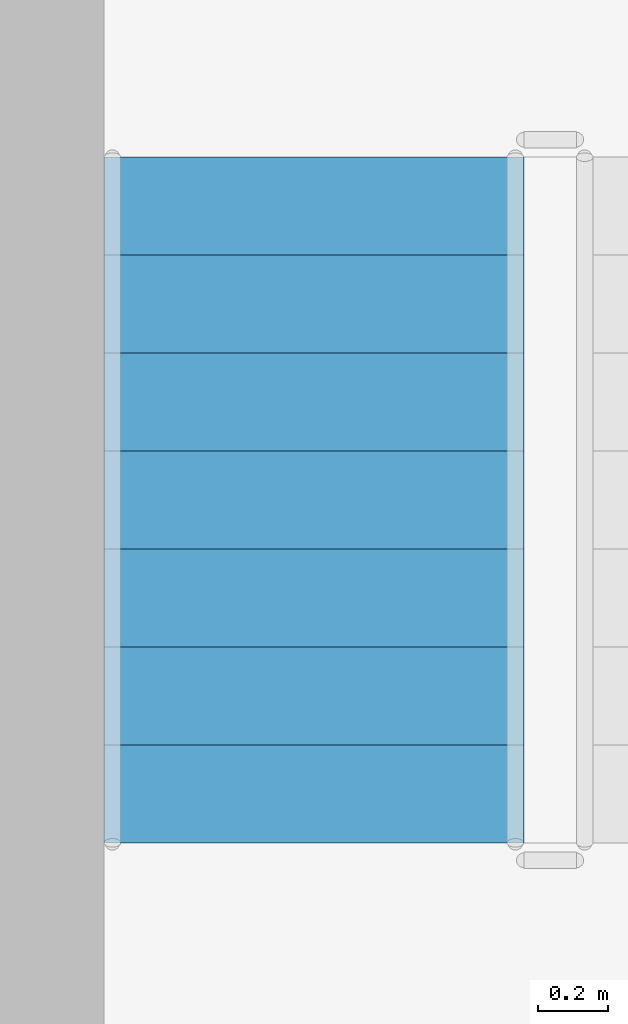
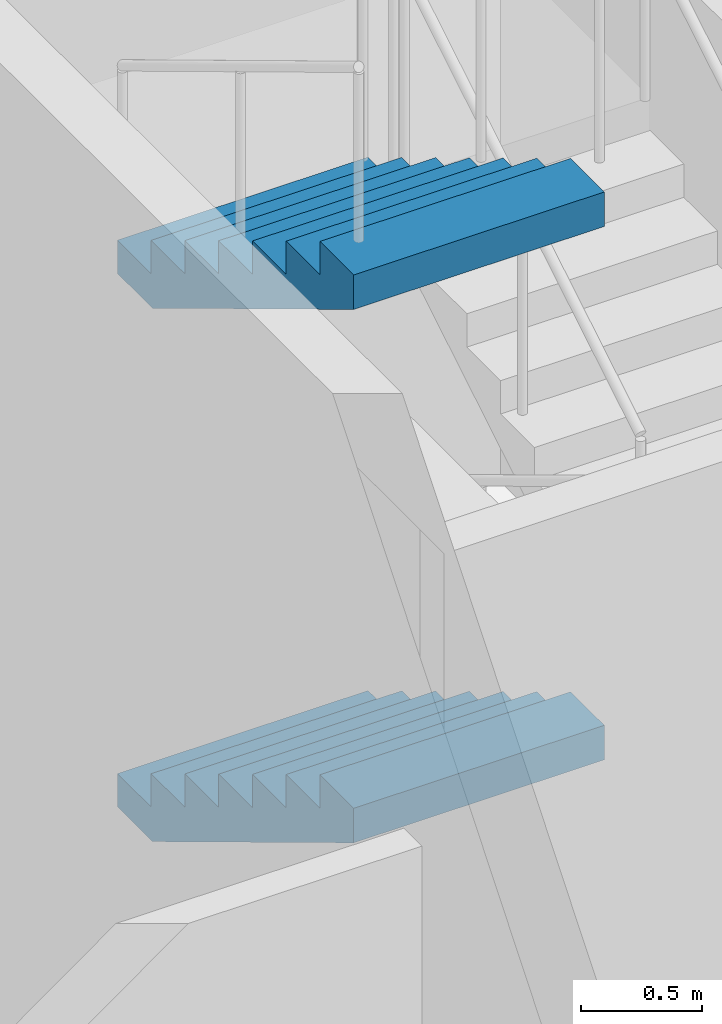
# One storey, part 39 of 101: 2 stair flights, 1 element without a shape of its own.
"""IFC4 building model written with IfcOpenShell, lengths in metres."""

from ifc_helpers import new_model, si_unit, direction, frame, origin, place, context, subcontext, project, spatial, triangles, material, type_object, element, aggregate, save


model = new_model("IFC4")

# Units and contexts
model_context = context("Model", 3, precision=1e-05, world=origin(), true_north=direction((0.0, 1.0)))
body_context = subcontext(model_context, "Body", "Model", "MODEL_VIEW")
ifc_project = project(units=[si_unit("LENGTHUNIT", "METRE"), si_unit("AREAUNIT", "SQUARE_METRE"), si_unit("VOLUMEUNIT", "CUBIC_METRE"), si_unit("PLANEANGLEUNIT", "RADIAN"), si_unit("MASSUNIT", "GRAM", prefix="KILO")], contexts=[model_context])

# Site, building, storey
site_placement = place(None, origin())
site = spatial("IfcSite", under=ifc_project, at=site_placement, CompositionType="ELEMENT")
building_placement = place(site_placement, origin())
building = spatial("IfcBuilding", under=site, at=building_placement, Name="Magnolia Steps Interchange", CompositionType="ELEMENT")
storey_placement = place(building_placement, frame((0.0, 0.0, -5.39990234375)))
storey = spatial("IfcBuildingStorey", under=building, at=storey_placement, Name="B1", CompositionType="ELEMENT", Elevation=-5.39990234375)

# Stair, stair flights
ifc_material_1 = material(Name="Concrete C40", Category="concrete")
stair_type = type_object("IfcStairType", Name="Exit stair 1200", PredefinedType="HALF_TURN_STAIR", material=ifc_material_1)
stair_placement = place(storey_placement, origin())
stair = element("IfcStair", 1, at=stair_placement, inside=storey, type_object=stair_type, Name="B1 Stair 17", PredefinedType="HALF_TURN_STAIR")
ifc_material_2 = material(Name="Concrete C40", Category="concrete")
stair_flight_type = type_object("IfcStairFlightType", Name="Exit stair flight", PredefinedType="STRAIGHT", material=ifc_material_2)
stair_flight_1_placement = place(storey_placement, frame((43.5, 40.659912109375, 1.349853515625), z_axis=(0.0, 0.0, 1.0), x_axis=(0.0, -1.0, 0.0)))
stair_flight_1 = element("IfcStairFlight", 2, at=stair_flight_1_placement, type_object=stair_flight_type, Name="Stair 17 flight 2", NumberOfRisers=8, NumberOfTreads=7, PredefinedType="STRAIGHT", RiserHeight=0.16875, TreadLength=0.28, context=body_context, shape_type="Tessellation", body=[
    triangles([(0.0, -0.5999755859375, 0.0), (0.29052734375, -0.5999755859375, 0.0), (1.9599609375, -0.5999755859375, 1.00634765625), (1.9599609375, -0.5999755859375, 1.18115234375), (1.679931640625, -0.5999755859375, 1.18115234375), (1.679931640625, -0.5999755859375, 1.012451171875), (1.39990234375, -0.5999755859375, 1.012451171875), (1.39990234375, -0.5999755859375, 0.84375), (1.1201171875, -0.5999755859375, 0.84375), (1.1201171875, -0.5999755859375, 0.675048828125), (0.840087890625, -0.5999755859375, 0.675048828125), (0.840087890625, -0.5999755859375, 0.50634765625), (0.56005859375, -0.5999755859375, 0.50634765625), (0.56005859375, -0.5999755859375, 0.33740234375), (0.280029296875, -0.5999755859375, 0.33740234375), (0.280029296875, -0.5999755859375, 0.168701171875), (0.0, -0.5999755859375, 0.168701171875), (0.0, 0.5999755859375, 0.0), (0.29052734375, 0.5999755859375, 0.0), (1.9599609375, 0.5999755859375, 1.00634765625), (1.9599609375, 0.5999755859375, 1.18115234375), (1.679931640625, 0.5999755859375, 1.18115234375), (1.679931640625, 0.5999755859375, 1.012451171875), (1.39990234375, 0.5999755859375, 1.012451171875), (1.39990234375, 0.5999755859375, 0.84375), (1.1201171875, 0.5999755859375, 0.84375), (1.1201171875, 0.5999755859375, 0.675048828125), (0.840087890625, 0.5999755859375, 0.675048828125), (0.840087890625, 0.5999755859375, 0.50634765625), (0.56005859375, 0.5999755859375, 0.50634765625), (0.56005859375, 0.5999755859375, 0.33740234375), (0.280029296875, 0.5999755859375, 0.33740234375), (0.280029296875, 0.5999755859375, 0.168701171875), (0.0, 0.5999755859375, 0.168701171875), (0.0, 0.0, 0.0), (0.0, 0.0, 0.04217529296875), (0.0, 0.0, 0.0843505859375), (0.0, 0.0, 0.12652587890625), (0.0, 0.0, 0.168701171875), (0.0, -0.05, 0.0), (0.0, -0.05, 0.168701171875), (0.0, 0.05, 0.0), (0.0, 0.05, 0.168701171875), (0.046671549479166664, 0.0, 0.168701171875), (0.09334309895833333, 0.0, 0.168701171875), (0.1400146484375, 0.0, 0.168701171875), (0.18668619791666666, 0.0, 0.168701171875), (0.23335774739583334, 0.0, 0.168701171875), (0.280029296875, 0.0, 0.168701171875), (0.280029296875, -0.05, 0.168701171875), (0.280029296875, 0.05, 0.168701171875), (0.280029296875, 0.0, 0.21087646484375), (0.280029296875, 0.0, 0.2530517578125), (0.280029296875, 0.0, 0.29522705078125), (0.280029296875, 0.0, 0.33740234375), (0.280029296875, -0.05, 0.33740234375), (0.280029296875, 0.05, 0.33740234375), (0.3267008463541667, 0.0, 0.33740234375), (0.3733723958333333, 0.0, 0.33740234375), (0.4200439453125, 0.0, 0.33740234375), (0.46671549479166663, 0.0, 0.33740234375), (0.5133870442708334, 0.0, 0.33740234375), (0.56005859375, 0.0, 0.33740234375), (0.56005859375, -0.05, 0.33740234375), (0.56005859375, 0.05, 0.33740234375), (0.56005859375, 0.0, 0.379638671875), (0.56005859375, 0.0, 0.421875), (0.56005859375, 0.0, 0.464111328125), (0.56005859375, 0.0, 0.50634765625), (0.56005859375, -0.05, 0.50634765625), (0.56005859375, 0.05, 0.50634765625), (0.6067301432291666, 0.0, 0.50634765625), (0.6534016927083334, 0.0, 0.50634765625), (0.7000732421875, 0.0, 0.50634765625), (0.7467447916666666, 0.0, 0.50634765625), (0.7934163411458334, 0.0, 0.50634765625), (0.840087890625, 0.0, 0.50634765625), (0.840087890625, -0.05, 0.50634765625), (0.840087890625, 0.05, 0.50634765625), (0.840087890625, 0.0, 0.54852294921875), (0.840087890625, 0.0, 0.5906982421875), (0.840087890625, 0.0, 0.63287353515625), (0.840087890625, 0.0, 0.675048828125), (0.840087890625, -0.05, 0.675048828125), (0.840087890625, 0.05, 0.675048828125), (0.8867594401041666, 0.0, 0.675048828125), (0.9334309895833334, 0.0, 0.675048828125), (0.9801025390625, 0.0, 0.675048828125), (1.0267740885416667, 0.0, 0.675048828125), (1.0734456380208333, 0.0, 0.675048828125), (1.1201171875, 0.0, 0.675048828125), (1.1201171875, -0.05, 0.675048828125), (1.1201171875, 0.05, 0.675048828125), (1.1201171875, 0.0, 0.71722412109375), (1.1201171875, 0.0, 0.7593994140625), (1.1201171875, 0.0, 0.80157470703125), (1.1201171875, 0.0, 0.84375), (1.1201171875, -0.05, 0.84375), (1.1201171875, 0.05, 0.84375), (1.1900634765625, 0.0, 0.84375), (1.260009765625, 0.0, 0.84375), (1.3299560546875, 0.0, 0.84375), (1.39990234375, 0.0, 0.84375), (1.39990234375, -0.05, 0.84375), (1.39990234375, 0.05, 0.84375), (1.39990234375, 0.0, 0.88592529296875), (1.39990234375, 0.0, 0.9281005859375), (1.39990234375, 0.0, 0.97027587890625), (1.39990234375, 0.0, 1.012451171875), (1.39990234375, -0.05, 1.012451171875), (1.39990234375, 0.05, 1.012451171875), (1.4465738932291667, 0.0, 1.012451171875), (1.4932454427083333, 0.0, 1.012451171875), (1.5399169921875, 0.0, 1.012451171875), (1.5865885416666667, 0.0, 1.012451171875), (1.6332600911458333, 0.0, 1.012451171875), (1.679931640625, 0.0, 1.012451171875), (1.679931640625, -0.05, 1.012451171875), (1.679931640625, 0.05, 1.012451171875), (1.679931640625, 0.0, 1.05462646484375), (1.679931640625, 0.0, 1.0968017578125), (1.679931640625, 0.0, 1.13897705078125), (1.679931640625, 0.0, 1.18115234375), (1.679931640625, -0.05, 1.18115234375), (1.679931640625, 0.05, 1.18115234375), (1.7266031901041667, 0.0, 1.18115234375), (1.7732747395833333, 0.0, 1.18115234375), (1.8199462890625, 0.0, 1.18115234375), (1.8666178385416667, 0.0, 1.18115234375), (1.9132893880208333, 0.0, 1.18115234375), (1.9599609375, 0.0, 1.18115234375), (1.9599609375, -0.05, 1.18115234375), (1.9599609375, 0.05, 1.18115234375), (1.9599609375, 0.0, 1.137451171875), (1.9599609375, 0.0, 1.09375), (1.9599609375, 0.0, 1.050048828125), (1.9599609375, 0.0, 1.00634765625), (1.9599609375, -0.05, 1.00634765625), (1.9599609375, 0.05, 1.00634765625), (1.9003383091517858, 0.0, 0.9704066685267857), (1.8407156808035714, 0.0, 0.9344656808035714), (1.7810930524553572, 0.0, 0.8985246930803571), (1.7214704241071428, 0.0, 0.8625837053571428), (1.6618477957589286, 0.0, 0.8266427176339286), (1.6022251674107144, 0.0, 0.7907017299107143), (1.5426025390625, 0.0, 0.7547607421875), (1.4829799107142856, 0.0, 0.7188197544642857), (1.4233572823660714, 0.0, 0.6828787667410714), (1.3637346540178572, 0.0, 0.6469377790178572), (1.3041120256696428, 0.0, 0.6109967912946428), (1.2444893973214286, 0.0, 0.5750558035714286), (1.1848667689732144, 0.0, 0.5391148158482143), (1.125244140625, 0.0, 0.503173828125), (1.0656215122767856, 0.0, 0.4672328404017857), (1.0059988839285714, 0.0, 0.4312918526785714), (0.9463762555803572, 0.0, 0.3953508649553571), (0.8867536272321428, 0.0, 0.3594098772321429), (0.8271309988839286, 0.0, 0.3234688895089286), (0.7675083705357142, 0.0, 0.2875279017857143), (0.7078857421875, 0.0, 0.2515869140625), (0.6482631138392858, 0.0, 0.2156459263392857), (0.5886404854910714, 0.0, 0.1797049386160714), (0.5290178571428572, 0.0, 0.1437639508928571), (0.4693952287946428, 0.0, 0.1078229631696429), (0.4097726004464286, 0.0, 0.0718819754464286), (0.3501499720982142, 0.0, 0.0359409877232143), (0.29052734375, 0.0, 0.0), (0.29052734375, -0.05, 0.0), (0.29052734375, 0.05, 0.0), (0.24210611979166666, 0.0, 0.0), (0.19368489583333331, 0.0, 0.0), (0.145263671875, 0.0, 0.0), (0.09684244791666666, 0.0, 0.0), (0.04842122395833334, 0.0, 0.0)], [[1, 2, 3], [3, 4, 5], [3, 5, 6], [3, 6, 7], [3, 7, 8], [8, 9, 10], [3, 8, 10], [10, 11, 12], [3, 10, 12], [12, 13, 14], [3, 12, 14], [14, 15, 16], [3, 14, 16], [1, 3, 16], [16, 17, 1], [18, 20, 19], [20, 22, 21], [20, 23, 22], [20, 24, 23], [20, 25, 24], [25, 27, 26], [20, 27, 25], [27, 29, 28], [20, 29, 27], [29, 31, 30], [20, 31, 29], [31, 33, 32], [20, 33, 31], [18, 33, 20], [33, 18, 34], [1, 17, 41], [1, 41, 40], [40, 36, 35], [40, 37, 36], [40, 41, 37], [41, 38, 37], [41, 39, 38], [18, 43, 34], [18, 42, 43], [42, 35, 36], [42, 36, 37], [42, 37, 43], [43, 37, 38], [43, 38, 39], [17, 16, 50], [17, 50, 41], [41, 44, 39], [41, 45, 44], [41, 46, 45], [41, 50, 46], [50, 47, 46], [50, 48, 47], [50, 49, 48], [34, 51, 33], [34, 43, 51], [43, 39, 44], [43, 44, 45], [43, 45, 46], [43, 46, 51], [51, 46, 47], [51, 47, 48], [51, 48, 49], [16, 15, 56], [16, 56, 50], [50, 52, 49], [50, 53, 52], [50, 56, 53], [56, 54, 53], [56, 55, 54], [33, 57, 32], [33, 51, 57], [51, 49, 52], [51, 52, 53], [51, 53, 57], [57, 53, 54], [57, 54, 55], [15, 14, 64], [15, 64, 56], [56, 58, 55], [56, 59, 58], [56, 60, 59], [56, 64, 60], [64, 61, 60], [64, 62, 61], [64, 63, 62], [32, 65, 31], [32, 57, 65], [57, 55, 58], [57, 58, 59], [57, 59, 60], [57, 60, 65], [65, 60, 61], [65, 61, 62], [65, 62, 63], [14, 13, 70], [14, 70, 64], [64, 66, 63], [64, 67, 66], [64, 70, 67], [70, 68, 67], [70, 69, 68], [31, 71, 30], [31, 65, 71], [65, 63, 66], [65, 66, 67], [65, 67, 71], [71, 67, 68], [71, 68, 69], [13, 12, 78], [13, 78, 70], [70, 72, 69], [70, 73, 72], [70, 74, 73], [70, 78, 74], [78, 75, 74], [78, 76, 75], [78, 77, 76], [30, 79, 29], [30, 71, 79], [71, 69, 72], [71, 72, 73], [71, 73, 74], [71, 74, 79], [79, 74, 75], [79, 75, 76], [79, 76, 77], [12, 11, 84], [12, 84, 78], [78, 80, 77], [78, 81, 80], [78, 84, 81], [84, 82, 81], [84, 83, 82], [29, 85, 28], [29, 79, 85], [79, 77, 80], [79, 80, 81], [79, 81, 85], [85, 81, 82], [85, 82, 83], [11, 10, 92], [11, 92, 84], [84, 86, 83], [84, 87, 86], [84, 88, 87], [84, 92, 88], [92, 89, 88], [92, 90, 89], [92, 91, 90], [28, 93, 27], [28, 85, 93], [85, 83, 86], [85, 86, 87], [85, 87, 88], [85, 88, 93], [93, 88, 89], [93, 89, 90], [93, 90, 91], [10, 9, 98], [10, 98, 92], [92, 94, 91], [92, 95, 94], [92, 98, 95], [98, 96, 95], [98, 97, 96], [27, 99, 26], [27, 93, 99], [93, 91, 94], [93, 94, 95], [93, 95, 99], [99, 95, 96], [99, 96, 97], [9, 8, 104], [9, 104, 98], [98, 100, 97], [98, 101, 100], [98, 104, 101], [104, 102, 101], [104, 103, 102], [26, 105, 25], [26, 99, 105], [99, 97, 100], [99, 100, 101], [99, 101, 105], [105, 101, 102], [105, 102, 103], [8, 7, 110], [8, 110, 104], [104, 106, 103], [104, 107, 106], [104, 110, 107], [110, 108, 107], [110, 109, 108], [25, 111, 24], [25, 105, 111], [105, 103, 106], [105, 106, 107], [105, 107, 111], [111, 107, 108], [111, 108, 109], [7, 6, 118], [7, 118, 110], [110, 112, 109], [110, 113, 112], [110, 114, 113], [110, 118, 114], [118, 115, 114], [118, 116, 115], [118, 117, 116], [24, 119, 23], [24, 111, 119], [111, 109, 112], [111, 112, 113], [111, 113, 114], [111, 114, 119], [119, 114, 115], [119, 115, 116], [119, 116, 117], [6, 5, 124], [6, 124, 118], [118, 120, 117], [118, 121, 120], [118, 124, 121], [124, 122, 121], [124, 123, 122], [23, 125, 22], [23, 119, 125], [119, 117, 120], [119, 120, 121], [119, 121, 125], [125, 121, 122], [125, 122, 123], [5, 4, 132], [5, 132, 124], [124, 126, 123], [124, 127, 126], [124, 128, 127], [124, 132, 128], [132, 129, 128], [132, 130, 129], [132, 131, 130], [22, 133, 21], [22, 125, 133], [125, 123, 126], [125, 126, 127], [125, 127, 128], [125, 128, 133], [133, 128, 129], [133, 129, 130], [133, 130, 131], [4, 3, 138], [4, 138, 132], [132, 134, 131], [132, 135, 134], [132, 138, 135], [138, 136, 135], [138, 137, 136], [21, 139, 20], [21, 133, 139], [133, 131, 134], [133, 134, 135], [133, 135, 139], [139, 135, 136], [139, 136, 137], [3, 2, 168], [3, 168, 138], [138, 140, 137], [138, 141, 140], [138, 142, 141], [138, 143, 142], [138, 144, 143], [138, 145, 144], [138, 146, 145], [138, 147, 146], [138, 148, 147], [138, 149, 148], [138, 150, 149], [138, 151, 150], [138, 152, 151], [138, 153, 152], [138, 168, 153], [168, 154, 153], [168, 155, 154], [168, 156, 155], [168, 157, 156], [168, 158, 157], [168, 159, 158], [168, 160, 159], [168, 161, 160], [168, 162, 161], [168, 163, 162], [168, 164, 163], [168, 165, 164], [168, 166, 165], [168, 167, 166], [20, 169, 19], [20, 139, 169], [139, 137, 140], [139, 140, 141], [139, 141, 142], [139, 142, 143], [139, 143, 144], [139, 144, 145], [139, 145, 146], [139, 146, 147], [139, 147, 148], [139, 148, 149], [139, 149, 150], [139, 150, 151], [139, 151, 152], [139, 152, 153], [139, 153, 169], [169, 153, 154], [169, 154, 155], [169, 155, 156], [169, 156, 157], [169, 157, 158], [169, 158, 159], [169, 159, 160], [169, 160, 161], [169, 161, 162], [169, 162, 163], [169, 163, 164], [169, 164, 165], [169, 165, 166], [169, 166, 167], [2, 1, 40], [2, 40, 168], [168, 170, 167], [168, 171, 170], [168, 172, 171], [168, 40, 172], [40, 173, 172], [40, 174, 173], [40, 35, 174], [19, 42, 18], [19, 169, 42], [169, 167, 170], [169, 170, 171], [169, 171, 172], [169, 172, 42], [42, 172, 173], [42, 173, 174], [42, 174, 35]], closed=True),
])
stair_flight_2_placement = place(storey_placement, frame((43.5, 40.659912109375, 4.0498046875), z_axis=(0.0, 0.0, 1.0), x_axis=(0.0, -1.0, 0.0)))
stair_flight_2 = element("IfcStairFlight", 3, at=stair_flight_2_placement, type_object=stair_flight_type, Name="Stair 17 flight 4", NumberOfRisers=8, NumberOfTreads=7, PredefinedType="STRAIGHT", RiserHeight=0.16875, TreadLength=0.28, context=body_context, shape_type="Tessellation", body=[
    triangles([(0.0, -0.5999755859375, 0.0), (0.29052734375, -0.5999755859375, 0.0), (1.9599609375, -0.5999755859375, 1.00634765625), (1.9599609375, -0.5999755859375, 1.18115234375), (1.679931640625, -0.5999755859375, 1.18115234375), (1.679931640625, -0.5999755859375, 1.012451171875), (1.39990234375, -0.5999755859375, 1.012451171875), (1.39990234375, -0.5999755859375, 0.84375), (1.1201171875, -0.5999755859375, 0.84375), (1.1201171875, -0.5999755859375, 0.675048828125), (0.840087890625, -0.5999755859375, 0.675048828125), (0.840087890625, -0.5999755859375, 0.50634765625), (0.56005859375, -0.5999755859375, 0.50634765625), (0.56005859375, -0.5999755859375, 0.33740234375), (0.280029296875, -0.5999755859375, 0.33740234375), (0.280029296875, -0.5999755859375, 0.168701171875), (0.0, -0.5999755859375, 0.168701171875), (0.0, 0.5999755859375, 0.0), (0.29052734375, 0.5999755859375, 0.0), (1.9599609375, 0.5999755859375, 1.00634765625), (1.9599609375, 0.5999755859375, 1.18115234375), (1.679931640625, 0.5999755859375, 1.18115234375), (1.679931640625, 0.5999755859375, 1.012451171875), (1.39990234375, 0.5999755859375, 1.012451171875), (1.39990234375, 0.5999755859375, 0.84375), (1.1201171875, 0.5999755859375, 0.84375), (1.1201171875, 0.5999755859375, 0.675048828125), (0.840087890625, 0.5999755859375, 0.675048828125), (0.840087890625, 0.5999755859375, 0.50634765625), (0.56005859375, 0.5999755859375, 0.50634765625), (0.56005859375, 0.5999755859375, 0.33740234375), (0.280029296875, 0.5999755859375, 0.33740234375), (0.280029296875, 0.5999755859375, 0.168701171875), (0.0, 0.5999755859375, 0.168701171875), (0.0, 0.0, 0.0), (0.0, 0.0, 0.04217529296875), (0.0, 0.0, 0.0843505859375), (0.0, 0.0, 0.12652587890625), (0.0, 0.0, 0.168701171875), (0.0, -0.05, 0.0), (0.0, -0.05, 0.168701171875), (0.0, 0.05, 0.0), (0.0, 0.05, 0.168701171875), (0.046671549479166664, 0.0, 0.168701171875), (0.09334309895833333, 0.0, 0.168701171875), (0.1400146484375, 0.0, 0.168701171875), (0.18668619791666666, 0.0, 0.168701171875), (0.23335774739583334, 0.0, 0.168701171875), (0.280029296875, 0.0, 0.168701171875), (0.280029296875, -0.05, 0.168701171875), (0.280029296875, 0.05, 0.168701171875), (0.280029296875, 0.0, 0.21087646484375), (0.280029296875, 0.0, 0.2530517578125), (0.280029296875, 0.0, 0.29522705078125), (0.280029296875, 0.0, 0.33740234375), (0.280029296875, -0.05, 0.33740234375), (0.280029296875, 0.05, 0.33740234375), (0.3267008463541667, 0.0, 0.33740234375), (0.3733723958333333, 0.0, 0.33740234375), (0.4200439453125, 0.0, 0.33740234375), (0.46671549479166663, 0.0, 0.33740234375), (0.5133870442708334, 0.0, 0.33740234375), (0.56005859375, 0.0, 0.33740234375), (0.56005859375, -0.05, 0.33740234375), (0.56005859375, 0.05, 0.33740234375), (0.56005859375, 0.0, 0.379638671875), (0.56005859375, 0.0, 0.421875), (0.56005859375, 0.0, 0.464111328125), (0.56005859375, 0.0, 0.50634765625), (0.56005859375, -0.05, 0.50634765625), (0.56005859375, 0.05, 0.50634765625), (0.6067301432291666, 0.0, 0.50634765625), (0.6534016927083334, 0.0, 0.50634765625), (0.7000732421875, 0.0, 0.50634765625), (0.7467447916666666, 0.0, 0.50634765625), (0.7934163411458334, 0.0, 0.50634765625), (0.840087890625, 0.0, 0.50634765625), (0.840087890625, -0.05, 0.50634765625), (0.840087890625, 0.05, 0.50634765625), (0.840087890625, 0.0, 0.54852294921875), (0.840087890625, 0.0, 0.5906982421875), (0.840087890625, 0.0, 0.63287353515625), (0.840087890625, 0.0, 0.675048828125), (0.840087890625, -0.05, 0.675048828125), (0.840087890625, 0.05, 0.675048828125), (0.8867594401041666, 0.0, 0.675048828125), (0.9334309895833334, 0.0, 0.675048828125), (0.9801025390625, 0.0, 0.675048828125), (1.0267740885416667, 0.0, 0.675048828125), (1.0734456380208333, 0.0, 0.675048828125), (1.1201171875, 0.0, 0.675048828125), (1.1201171875, -0.05, 0.675048828125), (1.1201171875, 0.05, 0.675048828125), (1.1201171875, 0.0, 0.71722412109375), (1.1201171875, 0.0, 0.7593994140625), (1.1201171875, 0.0, 0.80157470703125), (1.1201171875, 0.0, 0.84375), (1.1201171875, -0.05, 0.84375), (1.1201171875, 0.05, 0.84375), (1.1900634765625, 0.0, 0.84375), (1.260009765625, 0.0, 0.84375), (1.3299560546875, 0.0, 0.84375), (1.39990234375, 0.0, 0.84375), (1.39990234375, -0.05, 0.84375), (1.39990234375, 0.05, 0.84375), (1.39990234375, 0.0, 0.88592529296875), (1.39990234375, 0.0, 0.9281005859375), (1.39990234375, 0.0, 0.97027587890625), (1.39990234375, 0.0, 1.012451171875), (1.39990234375, -0.05, 1.012451171875), (1.39990234375, 0.05, 1.012451171875), (1.4465738932291667, 0.0, 1.012451171875), (1.4932454427083333, 0.0, 1.012451171875), (1.5399169921875, 0.0, 1.012451171875), (1.5865885416666667, 0.0, 1.012451171875), (1.6332600911458333, 0.0, 1.012451171875), (1.679931640625, 0.0, 1.012451171875), (1.679931640625, -0.05, 1.012451171875), (1.679931640625, 0.05, 1.012451171875), (1.679931640625, 0.0, 1.05462646484375), (1.679931640625, 0.0, 1.0968017578125), (1.679931640625, 0.0, 1.13897705078125), (1.679931640625, 0.0, 1.18115234375), (1.679931640625, -0.05, 1.18115234375), (1.679931640625, 0.05, 1.18115234375), (1.7266031901041667, 0.0, 1.18115234375), (1.7732747395833333, 0.0, 1.18115234375), (1.8199462890625, 0.0, 1.18115234375), (1.8666178385416667, 0.0, 1.18115234375), (1.9132893880208333, 0.0, 1.18115234375), (1.9599609375, 0.0, 1.18115234375), (1.9599609375, -0.05, 1.18115234375), (1.9599609375, 0.05, 1.18115234375), (1.9599609375, 0.0, 1.137451171875), (1.9599609375, 0.0, 1.09375), (1.9599609375, 0.0, 1.050048828125), (1.9599609375, 0.0, 1.00634765625), (1.9599609375, -0.05, 1.00634765625), (1.9599609375, 0.05, 1.00634765625), (1.9003383091517858, 0.0, 0.9704066685267857), (1.8407156808035714, 0.0, 0.9344656808035714), (1.7810930524553572, 0.0, 0.8985246930803571), (1.7214704241071428, 0.0, 0.8625837053571428), (1.6618477957589286, 0.0, 0.8266427176339286), (1.6022251674107144, 0.0, 0.7907017299107143), (1.5426025390625, 0.0, 0.7547607421875), (1.4829799107142856, 0.0, 0.7188197544642857), (1.4233572823660714, 0.0, 0.6828787667410714), (1.3637346540178572, 0.0, 0.6469377790178572), (1.3041120256696428, 0.0, 0.6109967912946428), (1.2444893973214286, 0.0, 0.5750558035714286), (1.1848667689732144, 0.0, 0.5391148158482143), (1.125244140625, 0.0, 0.503173828125), (1.0656215122767856, 0.0, 0.4672328404017857), (1.0059988839285714, 0.0, 0.4312918526785714), (0.9463762555803572, 0.0, 0.3953508649553571), (0.8867536272321428, 0.0, 0.3594098772321429), (0.8271309988839286, 0.0, 0.3234688895089286), (0.7675083705357142, 0.0, 0.2875279017857143), (0.7078857421875, 0.0, 0.2515869140625), (0.6482631138392858, 0.0, 0.2156459263392857), (0.5886404854910714, 0.0, 0.1797049386160714), (0.5290178571428572, 0.0, 0.1437639508928571), (0.4693952287946428, 0.0, 0.1078229631696429), (0.4097726004464286, 0.0, 0.0718819754464286), (0.3501499720982142, 0.0, 0.0359409877232143), (0.29052734375, 0.0, 0.0), (0.29052734375, -0.05, 0.0), (0.29052734375, 0.05, 0.0), (0.24210611979166666, 0.0, 0.0), (0.19368489583333331, 0.0, 0.0), (0.145263671875, 0.0, 0.0), (0.09684244791666666, 0.0, 0.0), (0.04842122395833334, 0.0, 0.0)], [[1, 2, 3], [3, 4, 5], [3, 5, 6], [3, 6, 7], [3, 7, 8], [8, 9, 10], [3, 8, 10], [10, 11, 12], [3, 10, 12], [12, 13, 14], [3, 12, 14], [14, 15, 16], [3, 14, 16], [1, 3, 16], [16, 17, 1], [18, 20, 19], [20, 22, 21], [20, 23, 22], [20, 24, 23], [20, 25, 24], [25, 27, 26], [20, 27, 25], [27, 29, 28], [20, 29, 27], [29, 31, 30], [20, 31, 29], [31, 33, 32], [20, 33, 31], [18, 33, 20], [33, 18, 34], [1, 17, 41], [1, 41, 40], [40, 36, 35], [40, 37, 36], [40, 41, 37], [41, 38, 37], [41, 39, 38], [18, 43, 34], [18, 42, 43], [42, 35, 36], [42, 36, 37], [42, 37, 43], [43, 37, 38], [43, 38, 39], [17, 16, 50], [17, 50, 41], [41, 44, 39], [41, 45, 44], [41, 46, 45], [41, 50, 46], [50, 47, 46], [50, 48, 47], [50, 49, 48], [34, 51, 33], [34, 43, 51], [43, 39, 44], [43, 44, 45], [43, 45, 46], [43, 46, 51], [51, 46, 47], [51, 47, 48], [51, 48, 49], [16, 15, 56], [16, 56, 50], [50, 52, 49], [50, 53, 52], [50, 56, 53], [56, 54, 53], [56, 55, 54], [33, 57, 32], [33, 51, 57], [51, 49, 52], [51, 52, 53], [51, 53, 57], [57, 53, 54], [57, 54, 55], [15, 14, 64], [15, 64, 56], [56, 58, 55], [56, 59, 58], [56, 60, 59], [56, 64, 60], [64, 61, 60], [64, 62, 61], [64, 63, 62], [32, 65, 31], [32, 57, 65], [57, 55, 58], [57, 58, 59], [57, 59, 60], [57, 60, 65], [65, 60, 61], [65, 61, 62], [65, 62, 63], [14, 13, 70], [14, 70, 64], [64, 66, 63], [64, 67, 66], [64, 70, 67], [70, 68, 67], [70, 69, 68], [31, 71, 30], [31, 65, 71], [65, 63, 66], [65, 66, 67], [65, 67, 71], [71, 67, 68], [71, 68, 69], [13, 12, 78], [13, 78, 70], [70, 72, 69], [70, 73, 72], [70, 74, 73], [70, 78, 74], [78, 75, 74], [78, 76, 75], [78, 77, 76], [30, 79, 29], [30, 71, 79], [71, 69, 72], [71, 72, 73], [71, 73, 74], [71, 74, 79], [79, 74, 75], [79, 75, 76], [79, 76, 77], [12, 11, 84], [12, 84, 78], [78, 80, 77], [78, 81, 80], [78, 84, 81], [84, 82, 81], [84, 83, 82], [29, 85, 28], [29, 79, 85], [79, 77, 80], [79, 80, 81], [79, 81, 85], [85, 81, 82], [85, 82, 83], [11, 10, 92], [11, 92, 84], [84, 86, 83], [84, 87, 86], [84, 88, 87], [84, 92, 88], [92, 89, 88], [92, 90, 89], [92, 91, 90], [28, 93, 27], [28, 85, 93], [85, 83, 86], [85, 86, 87], [85, 87, 88], [85, 88, 93], [93, 88, 89], [93, 89, 90], [93, 90, 91], [10, 9, 98], [10, 98, 92], [92, 94, 91], [92, 95, 94], [92, 98, 95], [98, 96, 95], [98, 97, 96], [27, 99, 26], [27, 93, 99], [93, 91, 94], [93, 94, 95], [93, 95, 99], [99, 95, 96], [99, 96, 97], [9, 8, 104], [9, 104, 98], [98, 100, 97], [98, 101, 100], [98, 104, 101], [104, 102, 101], [104, 103, 102], [26, 105, 25], [26, 99, 105], [99, 97, 100], [99, 100, 101], [99, 101, 105], [105, 101, 102], [105, 102, 103], [8, 7, 110], [8, 110, 104], [104, 106, 103], [104, 107, 106], [104, 110, 107], [110, 108, 107], [110, 109, 108], [25, 111, 24], [25, 105, 111], [105, 103, 106], [105, 106, 107], [105, 107, 111], [111, 107, 108], [111, 108, 109], [7, 6, 118], [7, 118, 110], [110, 112, 109], [110, 113, 112], [110, 114, 113], [110, 118, 114], [118, 115, 114], [118, 116, 115], [118, 117, 116], [24, 119, 23], [24, 111, 119], [111, 109, 112], [111, 112, 113], [111, 113, 114], [111, 114, 119], [119, 114, 115], [119, 115, 116], [119, 116, 117], [6, 5, 124], [6, 124, 118], [118, 120, 117], [118, 121, 120], [118, 124, 121], [124, 122, 121], [124, 123, 122], [23, 125, 22], [23, 119, 125], [119, 117, 120], [119, 120, 121], [119, 121, 125], [125, 121, 122], [125, 122, 123], [5, 4, 132], [5, 132, 124], [124, 126, 123], [124, 127, 126], [124, 128, 127], [124, 132, 128], [132, 129, 128], [132, 130, 129], [132, 131, 130], [22, 133, 21], [22, 125, 133], [125, 123, 126], [125, 126, 127], [125, 127, 128], [125, 128, 133], [133, 128, 129], [133, 129, 130], [133, 130, 131], [4, 3, 138], [4, 138, 132], [132, 134, 131], [132, 135, 134], [132, 138, 135], [138, 136, 135], [138, 137, 136], [21, 139, 20], [21, 133, 139], [133, 131, 134], [133, 134, 135], [133, 135, 139], [139, 135, 136], [139, 136, 137], [3, 2, 168], [3, 168, 138], [138, 140, 137], [138, 141, 140], [138, 142, 141], [138, 143, 142], [138, 144, 143], [138, 145, 144], [138, 146, 145], [138, 147, 146], [138, 148, 147], [138, 149, 148], [138, 150, 149], [138, 151, 150], [138, 152, 151], [138, 153, 152], [138, 168, 153], [168, 154, 153], [168, 155, 154], [168, 156, 155], [168, 157, 156], [168, 158, 157], [168, 159, 158], [168, 160, 159], [168, 161, 160], [168, 162, 161], [168, 163, 162], [168, 164, 163], [168, 165, 164], [168, 166, 165], [168, 167, 166], [20, 169, 19], [20, 139, 169], [139, 137, 140], [139, 140, 141], [139, 141, 142], [139, 142, 143], [139, 143, 144], [139, 144, 145], [139, 145, 146], [139, 146, 147], [139, 147, 148], [139, 148, 149], [139, 149, 150], [139, 150, 151], [139, 151, 152], [139, 152, 153], [139, 153, 169], [169, 153, 154], [169, 154, 155], [169, 155, 156], [169, 156, 157], [169, 157, 158], [169, 158, 159], [169, 159, 160], [169, 160, 161], [169, 161, 162], [169, 162, 163], [169, 163, 164], [169, 164, 165], [169, 165, 166], [169, 166, 167], [2, 1, 40], [2, 40, 168], [168, 170, 167], [168, 171, 170], [168, 172, 171], [168, 40, 172], [40, 173, 172], [40, 174, 173], [40, 35, 174], [19, 42, 18], [19, 169, 42], [169, 167, 170], [169, 170, 171], [169, 171, 172], [169, 172, 42], [42, 172, 173], [42, 173, 174], [42, 174, 35]], closed=True),
])
aggregate(stair, [stair_flight_1, stair_flight_2])

save(model, "model.ifc")
